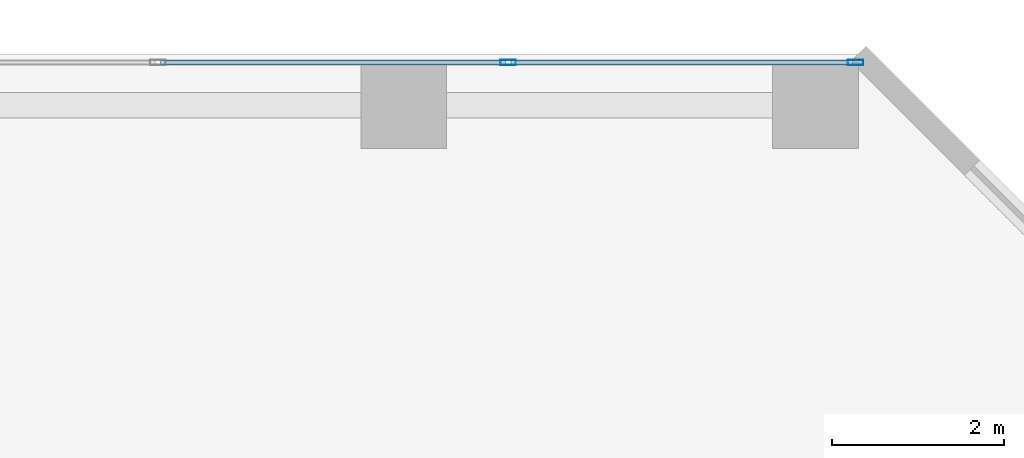
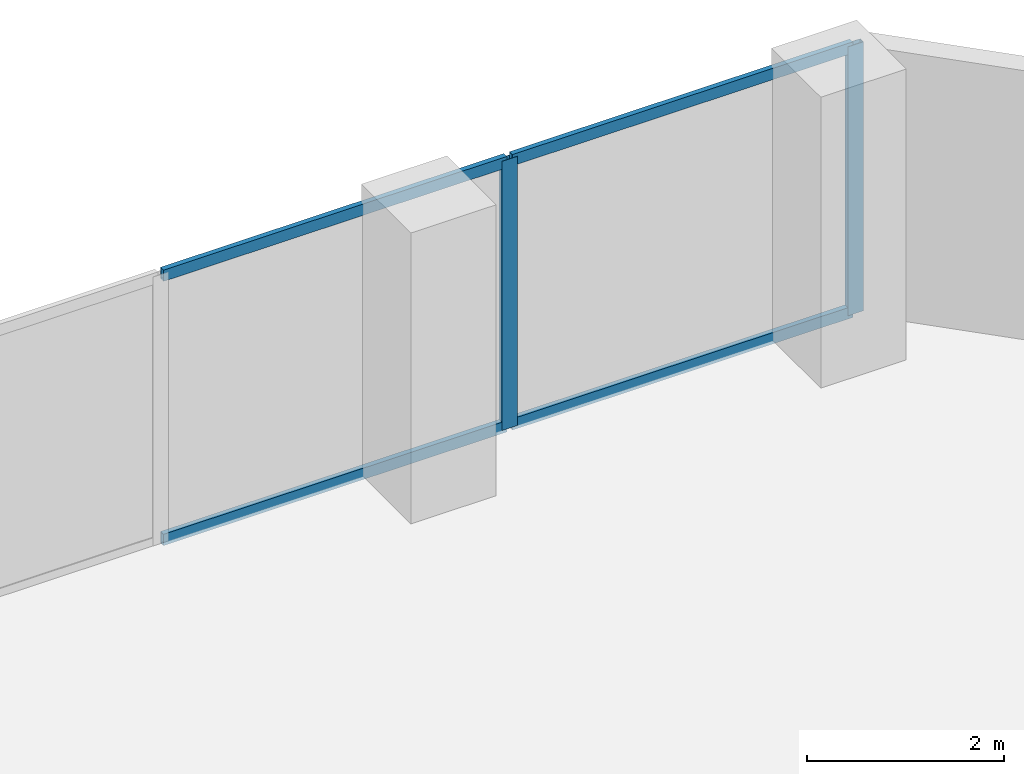
# One storey, part 25 of 32: 6 members, 1 element without a shape of its own.
"""IFC4 building model written with IfcOpenShell, lengths in metres."""

from ifc_helpers import new_model, si_unit, direction, frame, origin, origin_2d, place, context, subcontext, project, spatial, hollow_rectangle, extrude, material, layer, layer_set, material_profile, profile_set, type_object, element, aggregate, save


model = new_model("IFC4")

# Units and contexts
model_context = context("Model", 3, precision=1e-05, world=origin(), true_north=direction((0.0, 1.0)))
body_context = subcontext(model_context, "Body", "Model", "MODEL_VIEW")
ifc_project = project(units=[si_unit("LENGTHUNIT", "METRE"), si_unit("AREAUNIT", "SQUARE_METRE"), si_unit("VOLUMEUNIT", "CUBIC_METRE"), si_unit("PLANEANGLEUNIT", "RADIAN"), si_unit("MASSUNIT", "GRAM", prefix="KILO")], contexts=[model_context])

# Site, building, storey
site_placement = place(None, origin())
site = spatial("IfcSite", under=ifc_project, at=site_placement, CompositionType="ELEMENT")
building_placement = place(site_placement, origin())
building = spatial("IfcBuilding", under=site, at=building_placement, Name="Catumbela Crestline Tower", CompositionType="ELEMENT")
storey_placement = place(building_placement, frame((0.0, 0.0, 33.0)))
storey = spatial("IfcBuildingStorey", under=building, at=storey_placement, Name="L07", CompositionType="ELEMENT", Elevation=33.0)

# Curtain wall, members
ifc_material = material(Name="Aluminium alloy AW-6060-T66", Category="aluminium")
ifc_layer = layer(ifc_material, 0.18, Name="Aluminium alloy AW-6060-T66")
ifc_layer_set = layer_set([ifc_layer], Name="Aluminium alloy AW-6060-T66")
curtain_wall_type = type_object("IfcCurtainWallType", Name="CWU-Z1", PredefinedType="USERDEFINED", material=ifc_layer_set)
curtain_wall_placement = place(storey_placement, origin())
curtain_wall = element("IfcCurtainWall", 1, at=curtain_wall_placement, inside=storey, type_object=curtain_wall_type, Name="L07 Unitised Curtain Wall CW-L07-E7S1", ObjectType="UNITISED", PredefinedType="USERDEFINED")
ifc_material_profile_1 = material_profile(ifc_material, hollow_rectangle(XDim=0.065, YDim=0.18, WallThickness=0.004, at=origin_2d()), Name="ALU 180x65x4")
ifc_profile_set_1 = profile_set([ifc_material_profile_1], Name="Aluminium alloy AW-6060-T66")
member_type_1 = type_object("IfcMemberType", Name="MUL-180X65", PredefinedType="MULLION", material=ifc_profile_set_1)
member_1_placement = place(storey_placement, frame((52.4675, 47.9, 0.0), z_axis=(0.0, 0.0, 1.0), x_axis=(0.0, -1.0, 0.0)))
member_1 = element("IfcMember", 2, at=member_1_placement, type_object=member_type_1, Name="CWU-Z1 mullion 1", PredefinedType="MULLION", context=body_context, shape_type="SweptSolid", body=[
    extrude(hollow_rectangle(XDim=0.065, YDim=0.18, WallThickness=0.004, at=origin_2d()), origin(), (0.0, 0.0, 1.0), 3.33),
])
member_2_placement = place(storey_placement, frame((48.4167, 47.9, 0.0), z_axis=(0.0, 0.0, 1.0), x_axis=(0.0, -1.0, 0.0)))
member_2 = element("IfcMember", 3, at=member_2_placement, type_object=member_type_1, Name="CWU-Z1 mullion 2", PredefinedType="MULLION", context=body_context, shape_type="SweptSolid", body=[
    extrude(hollow_rectangle(XDim=0.065, YDim=0.18, WallThickness=0.004, at=origin_2d()), origin(), (0.0, 0.0, 1.0), 3.33),
])
ifc_material_profile_2 = material_profile(ifc_material, hollow_rectangle(XDim=0.06, YDim=0.14, WallThickness=0.004, at=origin_2d()), Name="ALU 140x60x4")
ifc_profile_set_2 = profile_set([ifc_material_profile_2], Name="Aluminium alloy AW-6060-T66")
member_type_2 = type_object("IfcMemberType", Name="TRN-140X60", PredefinedType="USERDEFINED", material=ifc_profile_set_2)
member_3_placement = place(storey_placement, frame((52.435, 47.9, 0.03), z_axis=(-1.0, 0.0, 0.0), x_axis=(0.0, -1.0, 0.0)))
member_3 = element("IfcMember", 4, at=member_3_placement, type_object=member_type_2, Name="CWU-Z1 transom 1.1", ObjectType="TRANSOM", PredefinedType="USERDEFINED", context=body_context, shape_type="SweptSolid", body=[
    extrude(hollow_rectangle(XDim=0.06, YDim=0.14, WallThickness=0.004, at=origin_2d()), origin(), (0.0, 0.0, 1.0), 3.9858),
])
member_4_placement = place(storey_placement, frame((52.435, 47.9, 3.3), z_axis=(-1.0, 0.0, 0.0), x_axis=(0.0, -1.0, 0.0)))
member_4 = element("IfcMember", 5, at=member_4_placement, type_object=member_type_2, Name="CWU-Z1 transom 1.2", ObjectType="TRANSOM", PredefinedType="USERDEFINED", context=body_context, shape_type="SweptSolid", body=[
    extrude(hollow_rectangle(XDim=0.06, YDim=0.14, WallThickness=0.004, at=origin_2d()), origin(), (0.0, 0.0, 1.0), 3.9858),
])
member_5_placement = place(storey_placement, frame((48.3842, 47.9, 0.03), z_axis=(-1.0, 0.0, 0.0), x_axis=(0.0, -1.0, 0.0)))
member_5 = element("IfcMember", 6, at=member_5_placement, type_object=member_type_2, Name="CWU-Z1 transom 2.1", ObjectType="TRANSOM", PredefinedType="USERDEFINED", context=body_context, shape_type="SweptSolid", body=[
    extrude(hollow_rectangle(XDim=0.06, YDim=0.14, WallThickness=0.004, at=origin_2d()), origin(), (0.0, 0.0, 1.0), 4.0184),
])
member_6_placement = place(storey_placement, frame((48.3842, 47.9, 3.3), z_axis=(-1.0, 0.0, 0.0), x_axis=(0.0, -1.0, 0.0)))
member_6 = element("IfcMember", 7, at=member_6_placement, type_object=member_type_2, Name="CWU-Z1 transom 2.2", ObjectType="TRANSOM", PredefinedType="USERDEFINED", context=body_context, shape_type="SweptSolid", body=[
    extrude(hollow_rectangle(XDim=0.06, YDim=0.14, WallThickness=0.004, at=origin_2d()), origin(), (0.0, 0.0, 1.0), 4.0184),
])
aggregate(curtain_wall, [member_1, member_2, member_3, member_4, member_5, member_6])

save(model, "model.ifc")
